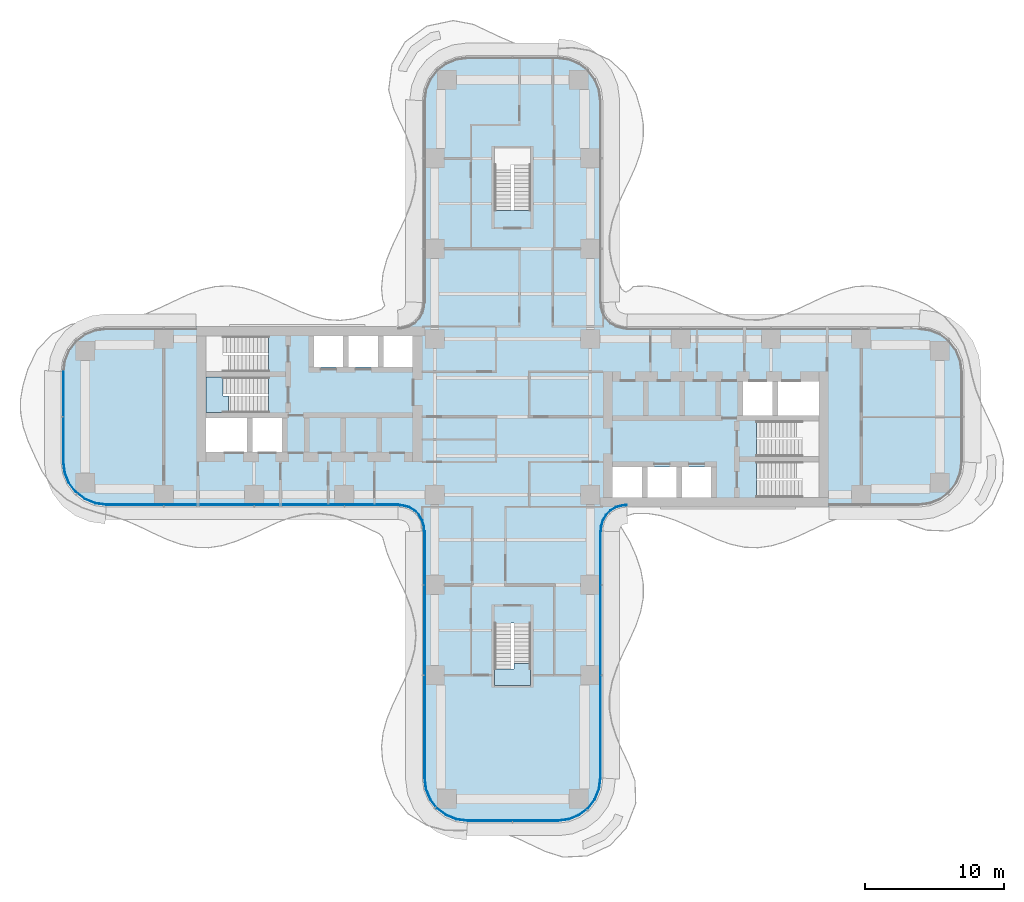
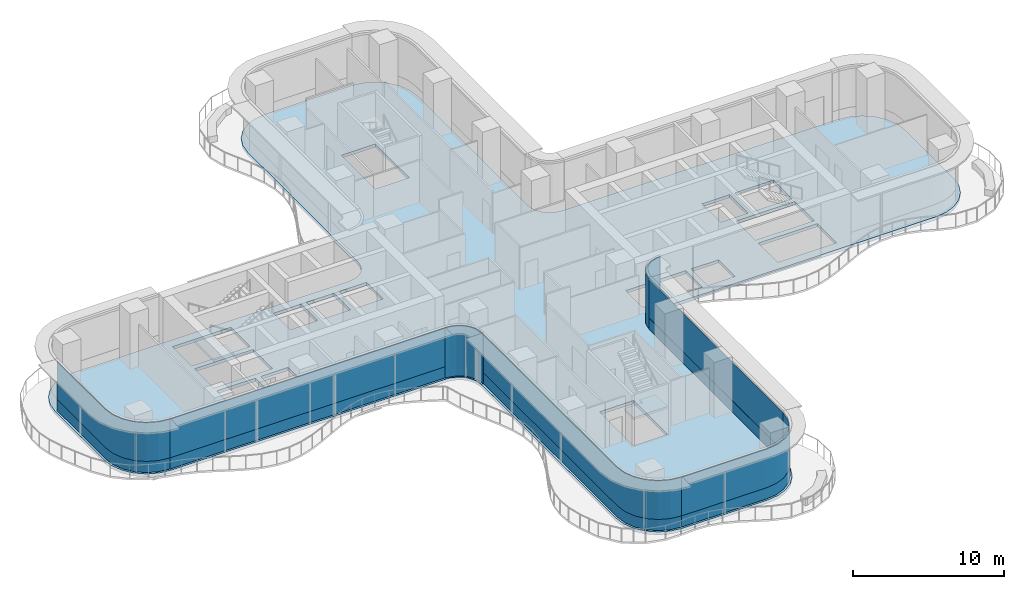
# One storey, part 14 of 22: 12 plates, 3 slabs, 9 elements without a shape of their own.
"""IFC4 building model written with IfcOpenShell, lengths in metres."""

from ifc_helpers import new_model, si_unit, direction, frame, origin, place, context, subcontext, project, spatial, polyline, outline, extrude, source, transform, mapped, material, layer, layer_set, type_object, element, aggregate, save


model = new_model("IFC4")

# Units and contexts
model_context = context("Model", 3, precision=1e-05, world=origin(), true_north=direction((0.0, 1.0)))
body_context = subcontext(model_context, "Body", "Model", "MODEL_VIEW")
ifc_project = project(units=[si_unit("LENGTHUNIT", "METRE"), si_unit("AREAUNIT", "SQUARE_METRE"), si_unit("VOLUMEUNIT", "CUBIC_METRE"), si_unit("PLANEANGLEUNIT", "RADIAN"), si_unit("MASSUNIT", "GRAM", prefix="KILO")], contexts=[model_context])

# Site, building, storey
site_placement = place(None, origin())
site = spatial("IfcSite", under=ifc_project, at=site_placement, CompositionType="ELEMENT")
building_placement = place(site_placement, origin())
building = spatial("IfcBuilding", under=site, at=building_placement, Name="Trellis Farm Tower", CompositionType="ELEMENT")
storey_placement = place(building_placement, frame((0.0, 0.0, 88.0)))
storey = spatial("IfcBuildingStorey", under=building, at=storey_placement, Name="L18", CompositionType="ELEMENT", Elevation=88.0)

# Curtain wall, plate
ifc_material_1 = material(Name="Aluminium and glass curtain wall", Category="aluminium")
ifc_layer_1 = layer(ifc_material_1, 0.18994140625)
ifc_layer_set_1 = layer_set([ifc_layer_1], Name="RIBBON CURTAIN WALL CW1")
curtain_wall_type_1 = type_object("IfcCurtainWallType", Name="RIBBON CURTAIN WALL CW1", PredefinedType="NOTDEFINED", material=ifc_layer_set_1)
placement_1 = place(storey_placement, origin())
curtain_wall_1 = element("IfcCurtainWall", 1, at=placement_1, inside=storey, type_object=curtain_wall_type_1, Name="CW1 001", PredefinedType="NOTDEFINED")
ifc_material_2 = material(Name="Clear insulated glass", Category="glass")
ifc_layer_2 = layer(ifc_material_2, 0.0400390625)
ifc_layer_set_2 = layer_set([ifc_layer_2], Name="CW1 GLASS PANEL 40")
plate_type_1 = type_object("IfcPlateType", Name="CW1 GLASS PANEL 40", PredefinedType="CURTAIN_PANEL", material=ifc_layer_set_2)
placement_2 = place(storey_placement, frame((0.0, 0.0, 0.89990234375)))
plate_1 = element("IfcPlate", 2, at=placement_2, type_object=plate_type_1, Name="PL1 001", PredefinedType="CURTAIN_PANEL", context=body_context, shape_type="SweptSolid", body=[
    extrude(outline(polyline([(-29.240234375, -6.35009765625), (-8.2265625, -6.35009765625), (-8.22509765625, -6.31005859375), (-29.237548828125, -6.31005859375), (-29.240234375, -6.35009765625)])), origin(), (0.0, 0.0, 1.0), 3.1201171875),
])

curtain_wall_2 = element("IfcCurtainWall", 3, at=placement_1, inside=storey, type_object=curtain_wall_type_1, Name="CW1 002", PredefinedType="NOTDEFINED")
plate_2 = element("IfcPlate", 4, at=placement_2, type_object=plate_type_1, Name="PL1 002", PredefinedType="CURTAIN_PANEL", context=body_context, shape_type="SweptSolid", body=[
    extrude(outline(polyline([(-6.35009765625, -8.2265625), (-6.35009765625, -25.990234375), (-6.2431640625, -26.802001953125), (-5.93359375, -27.54931640625), (-5.441162109375, -28.191162109375), (-4.79931640625, -28.68359375), (-4.052001953125, -28.9931640625), (-3.240234375, -29.10009765625), (-3.237548828125, -29.06005859375), (-4.04150390625, -28.9541015625), (-4.779296875, -28.648681640625), (-5.41259765625, -28.16259765625), (-5.898681640625, -27.529296875), (-6.2041015625, -26.79150390625), (-6.31005859375, -25.987548828125), (-6.31005859375, -8.22509765625), (-6.35009765625, -8.2265625)])), origin(), (0.0, 0.0, 1.0), 3.1201171875),
])

curtain_wall_3 = element("IfcCurtainWall", 5, at=placement_1, inside=storey, type_object=curtain_wall_type_1, Name="CW1 003", PredefinedType="NOTDEFINED")
plate_3 = element("IfcPlate", 6, at=placement_2, type_object=plate_type_1, Name="PL1 003", PredefinedType="CURTAIN_PANEL", context=body_context, shape_type="SweptSolid", body=[
    extrude(outline(polyline([(-3.240234375, -29.10009765625), (3.240234375, -29.10009765625), (4.052001953125, -28.9931640625), (4.79931640625, -28.68359375), (5.441162109375, -28.191162109375), (5.93359375, -27.54931640625), (6.2431640625, -26.802001953125), (6.35009765625, -25.990234375), (6.31005859375, -25.987548828125), (6.2041015625, -26.79150390625), (5.898681640625, -27.529296875), (5.41259765625, -28.16259765625), (4.779296875, -28.648681640625), (4.04150390625, -28.9541015625), (3.237548828125, -29.06005859375), (-3.237548828125, -29.06005859375), (-3.240234375, -29.10009765625)])), origin(), (0.0, 0.0, 1.0), 3.1201171875),
])

curtain_wall_4 = element("IfcCurtainWall", 7, at=placement_1, inside=storey, type_object=curtain_wall_type_1, Name="CW1 004", PredefinedType="NOTDEFINED")
plate_4 = element("IfcPlate", 8, at=placement_2, type_object=plate_type_1, Name="PL1 004", PredefinedType="CURTAIN_PANEL", context=body_context, shape_type="SweptSolid", body=[
    extrude(outline(polyline([(6.35009765625, -25.990234375), (6.35009765625, -8.2265625), (6.31005859375, -8.22509765625), (6.31005859375, -25.987548828125), (6.35009765625, -25.990234375)])), origin(), (0.0, 0.0, 1.0), 3.1201171875),
])

curtain_wall_5 = element("IfcCurtainWall", 9, at=placement_1, inside=storey, type_object=curtain_wall_type_1, Name="CW1 013", PredefinedType="NOTDEFINED")
plate_5 = element("IfcPlate", 10, at=placement_2, type_object=plate_type_1, Name="PL1 013", PredefinedType="CURTAIN_PANEL", context=body_context, shape_type="SweptSolid", body=[
    extrude(outline(polyline([(-32.35009765625, 3.240234375), (-32.35009765625, -3.240234375), (-32.2431640625, -4.052001953125), (-31.93359375, -4.79931640625), (-31.441162109375, -5.441162109375), (-30.79931640625, -5.93359375), (-30.052001953125, -6.2431640625), (-29.240234375, -6.35009765625), (-29.237548828125, -6.31005859375), (-30.04150390625, -6.2041015625), (-30.779296875, -5.898681640625), (-31.41259765625, -5.41259765625), (-31.898681640625, -4.779296875), (-32.2041015625, -4.04150390625), (-32.31005859375, -3.237548828125), (-32.31005859375, 3.237548828125), (-32.35009765625, 3.240234375)])), origin(), (0.0, 0.0, 1.0), 3.1201171875),
])

ifc_layer_3 = layer(ifc_material_1, 0.166015625)
ifc_layer_set_3 = layer_set([ifc_layer_3], Name="WINTER GARDEN CURTAIN WALL CW3")
curtain_wall_type_2 = type_object("IfcCurtainWallType", Name="WINTER GARDEN CURTAIN WALL CW3", PredefinedType="NOTDEFINED", material=ifc_layer_set_3)
curtain_wall_6 = element("IfcCurtainWall", 11, at=placement_1, inside=storey, type_object=curtain_wall_type_2, Name="CW3 001", PredefinedType="NOTDEFINED")
ifc_layer_4 = layer(ifc_material_2, 0.0458984375)
ifc_layer_set_4 = layer_set([ifc_layer_4], Name="CW3 GLASS PANEL 46")
plate_type_2 = type_object("IfcPlateType", Name="CW3 GLASS PANEL 46", PredefinedType="CURTAIN_PANEL", material=ifc_layer_set_4)
plate_6 = element("IfcPlate", 12, at=placement_1, type_object=plate_type_2, Name="PL3 001", PredefinedType="CURTAIN_PANEL", context=body_context, shape_type="SweptSolid", body=[
    extrude(outline(polyline([(-8.2275390625, -6.3798828125), (-8.0078125, -6.394287109375), (-7.89208984375, -6.40966796875), (-7.462158203125, -6.52490234375), (-7.070556640625, -6.7509765625), (-6.7509765625, -7.070556640625), (-6.52490234375, -7.462158203125), (-6.40966796875, -7.89208984375), (-6.394287109375, -8.0078125), (-6.3798828125, -8.2275390625), (-6.333984375, -8.22607421875), (-6.3486328125, -8.003173828125), (-6.364501953125, -7.883056640625), (-6.48193359375, -7.4443359375), (-6.714111328125, -7.04248046875), (-7.04248046875, -6.714111328125), (-7.4443359375, -6.48193359375), (-7.883056640625, -6.364501953125), (-8.003173828125, -6.3486328125), (-8.22607421875, -6.333984375), (-8.2275390625, -6.3798828125)])), origin(), (0.0, 0.0, 1.0), 4.050048828125),
])
aggregate(curtain_wall_6, [plate_6])

curtain_wall_7 = element("IfcCurtainWall", 13, at=placement_1, inside=storey, type_object=curtain_wall_type_2, Name="CW3 002", PredefinedType="NOTDEFINED")
plate_7 = element("IfcPlate", 14, at=placement_1, type_object=plate_type_2, Name="PL3 002", PredefinedType="CURTAIN_PANEL", context=body_context, shape_type="SweptSolid", body=[
    extrude(outline(polyline([(6.3798828125, -8.2275390625), (6.394287109375, -8.0078125), (6.40966796875, -7.89208984375), (6.52490234375, -7.462158203125), (6.7509765625, -7.070556640625), (7.070556640625, -6.7509765625), (7.462158203125, -6.52490234375), (7.89208984375, -6.40966796875), (8.0078125, -6.394287109375), (8.2275390625, -6.3798828125), (8.22607421875, -6.333984375), (8.003173828125, -6.3486328125), (7.883056640625, -6.364501953125), (7.4443359375, -6.48193359375), (7.04248046875, -6.714111328125), (6.714111328125, -7.04248046875), (6.48193359375, -7.4443359375), (6.364501953125, -7.883056640625), (6.3486328125, -8.003173828125), (6.333984375, -8.22607421875), (6.3798828125, -8.2275390625)])), origin(), (0.0, 0.0, 1.0), 4.050048828125),
])
aggregate(curtain_wall_7, [plate_7])

# Slab
ifc_material_3 = material(Name="Concrete C40/50", Category="concrete")
ifc_layer_5 = layer(ifc_material_3, 0.25)
ifc_layer_set_5 = layer_set([ifc_layer_5], Name="Composite deck floor slab 250")
slab_type_1 = type_object("IfcSlabType", Name="Composite deck floor slab 250", PredefinedType="FLOOR", material=ifc_layer_set_5)
shared_shape_1 = source(origin(), body_context, "Body", "SweptSolid", [
    extrude(outline(polyline([(-30.09130859375, -6.389404296875), (-30.875, -6.064697265625), (-31.548095703125, -5.548095703125), (-32.064697265625, -4.875), (-32.389404296875, -4.09130859375), (-32.5, -3.25), (-32.5, 3.25), (-32.389404296875, 4.09130859375), (-32.064697265625, 4.875), (-31.548095703125, 5.548095703125), (-30.875, 6.064697265625), (-30.09130859375, 6.389404296875), (-29.25, 6.5), (-8.2314453125, 6.5), (-8.01953125, 6.513916015625), (-7.91552734375, 6.527587890625), (-7.508544921875, 6.63671875), (-7.144287109375, 6.846923828125), (-6.846923828125, 7.144287109375), (-6.63671875, 7.508544921875), (-6.527587890625, 7.91552734375), (-6.513916015625, 8.01953125), (-6.5, 8.2314453125), (-6.5, 22.75), (-6.389404296875, 23.59130859375), (-6.064697265625, 24.375), (-5.548095703125, 25.048095703125), (-4.875, 25.564697265625), (-4.09130859375, 25.889404296875), (-3.25, 26.0), (3.25, 26.0), (4.09130859375, 25.889404296875), (4.875, 25.564697265625), (5.548095703125, 25.048095703125), (6.064697265625, 24.375), (6.389404296875, 23.59130859375), (6.5, 22.75), (6.5, 8.2314453125), (6.513916015625, 8.01953125), (6.527587890625, 7.91552734375), (6.63671875, 7.508544921875), (6.846923828125, 7.144287109375), (7.144287109375, 6.846923828125), (7.508544921875, 6.63671875), (7.91552734375, 6.527587890625), (8.01953125, 6.513916015625), (8.2314453125, 6.5), (29.25, 6.5), (30.09130859375, 6.389404296875), (30.875, 6.064697265625), (31.548095703125, 5.548095703125), (32.064697265625, 4.875), (32.389404296875, 4.09130859375), (32.5, 3.25), (32.5, -3.25), (32.389404296875, -4.09130859375), (32.064697265625, -4.875), (31.548095703125, -5.548095703125), (30.875, -6.064697265625), (30.09130859375, -6.389404296875), (29.25, -6.5), (8.2314453125, -6.5), (8.01953125, -6.513916015625), (7.91552734375, -6.527587890625), (7.508544921875, -6.63671875), (7.144287109375, -6.846923828125), (6.846923828125, -7.144287109375), (6.63671875, -7.508544921875), (6.527587890625, -7.91552734375), (6.513916015625, -8.01953125), (6.5, -8.2314453125), (6.5, -26.0), (6.389404296875, -26.84130859375), (6.064697265625, -27.625), (5.548095703125, -28.298095703125), (4.875, -28.814697265625), (4.09130859375, -29.139404296875), (3.25, -29.25), (-3.25, -29.25), (-4.09130859375, -29.139404296875), (-4.875, -28.814697265625), (-5.548095703125, -28.298095703125), (-6.064697265625, -27.625), (-6.389404296875, -26.84130859375), (-6.5, -26.0), (-6.5, -8.2314453125), (-6.513916015625, -8.01953125), (-6.527587890625, -7.91552734375), (-6.63671875, -7.508544921875), (-6.846923828125, -7.144287109375), (-7.144287109375, -6.846923828125), (-7.508544921875, -6.63671875), (-7.91552734375, -6.527587890625), (-8.01953125, -6.513916015625), (-8.2314453125, -6.5), (-29.25, -6.5), (-30.09130859375, -6.389404296875)]), holes=[polyline([(-22.050048828125, -0.10009765625), (-22.050048828125, -2.550048828125), (-19.10009765625, -2.550048828125), (-19.10009765625, -0.10009765625), (-22.050048828125, -0.10009765625)]), polyline([(-18.699951171875, -0.10009765625), (-18.699951171875, -2.550048828125), (-16.60009765625, -2.550048828125), (-16.60009765625, -0.10009765625), (-18.699951171875, -0.10009765625)]), polyline([(-17.56201171875, 1.64990234375), (-17.56201171875, 2.85009765625), (-22.050048828125, 2.85009765625), (-22.050048828125, 0.300048828125), (-17.56005859375, 0.300048828125), (-17.56005859375, 1.5), (-17.550048828125, 1.5), (-17.550048828125, 1.64990234375), (-17.56201171875, 1.64990234375)]), polyline([(-17.56201171875, 4.60009765625), (-17.56201171875, 5.800048828125), (-22.050048828125, 5.800048828125), (-22.050048828125, 3.25), (-17.56005859375, 3.25), (-17.56005859375, 4.449951171875), (-17.550048828125, 4.449951171875), (-17.550048828125, 4.60009765625), (-17.56201171875, 4.60009765625)]), polyline([(-14.300048828125, 5.800048828125), (-14.300048828125, 3.60009765625), (-12.199951171875, 3.60009765625), (-12.199951171875, 5.800048828125), (-14.300048828125, 5.800048828125)]), polyline([(-11.800048828125, 5.800048828125), (-11.800048828125, 3.60009765625), (-9.699951171875, 3.60009765625), (-9.699951171875, 5.800048828125), (-11.800048828125, 5.800048828125)]), polyline([(-9.300048828125, 5.800048828125), (-9.300048828125, 3.60009765625), (-7.199951171875, 3.60009765625), (-7.199951171875, 5.800048828125), (-9.300048828125, 5.800048828125)]), polyline([(0.10009765625, 14.862060546875), (1.300048828125, 14.862060546875), (1.300048828125, 19.35009765625), (-1.300048828125, 19.35009765625), (-1.300048828125, 14.860107421875), (-0.10009765625, 14.860107421875), (-0.10009765625, 14.85009765625), (0.10009765625, 14.85009765625), (0.10009765625, 14.862060546875)]), polyline([(-0.10009765625, -14.862060546875), (-1.300048828125, -14.862060546875), (-1.300048828125, -19.35009765625), (1.300048828125, -19.35009765625), (1.300048828125, -14.860107421875), (0.10009765625, -14.860107421875), (0.10009765625, -14.85009765625), (-0.10009765625, -14.85009765625), (-0.10009765625, -14.862060546875)]), polyline([(9.300048828125, -5.800048828125), (9.300048828125, -3.60009765625), (7.199951171875, -3.60009765625), (7.199951171875, -5.800048828125), (9.300048828125, -5.800048828125)]), polyline([(11.800048828125, -5.800048828125), (11.800048828125, -3.60009765625), (9.699951171875, -3.60009765625), (9.699951171875, -5.800048828125), (11.800048828125, -5.800048828125)]), polyline([(14.300048828125, -5.800048828125), (14.300048828125, -3.60009765625), (12.199951171875, -3.60009765625), (12.199951171875, -5.800048828125), (14.300048828125, -5.800048828125)]), polyline([(17.56201171875, -4.60009765625), (17.56201171875, -5.800048828125), (22.050048828125, -5.800048828125), (22.050048828125, -3.25), (17.56005859375, -3.25), (17.56005859375, -4.449951171875), (17.550048828125, -4.449951171875), (17.550048828125, -4.60009765625), (17.56201171875, -4.60009765625)]), polyline([(17.56201171875, -1.64990234375), (17.56201171875, -2.85009765625), (22.050048828125, -2.85009765625), (22.050048828125, -0.300048828125), (17.56005859375, -0.300048828125), (17.56005859375, -1.5), (17.550048828125, -1.5), (17.550048828125, -1.64990234375), (17.56201171875, -1.64990234375)]), polyline([(18.699951171875, 0.10009765625), (18.699951171875, 2.550048828125), (16.60009765625, 2.550048828125), (16.60009765625, 0.10009765625), (18.699951171875, 0.10009765625)]), polyline([(22.050048828125, 0.10009765625), (22.050048828125, 2.550048828125), (19.10009765625, 2.550048828125), (19.10009765625, 0.10009765625), (22.050048828125, 0.10009765625)])]), origin(), (0.0, 0.0, 1.0), 0.25),
])
slab_1_placement = place(storey_placement, frame((0.0, 0.0, -0.25)))
element("IfcSlab", 15, at=slab_1_placement, inside=storey, type_object=slab_type_1, Name="Floor slab", PredefinedType="FLOOR", context=body_context, shape_type="MappedRepresentation", body=[
    mapped(shared_shape_1, transform((0.0, 0.0, 0.0))),
])

# Stair, slab
ifc_material_4 = material(Name="Concrete C50/60", Category="concrete")
stair_type = type_object("IfcStairType", Name="CORE EXIT STAIR 26 RISERS 173 MM", PredefinedType="HALF_TURN_STAIR", material=ifc_material_4)
stair_1 = element("IfcStair", 16, at=placement_1, inside=storey, type_object=stair_type, Name="Exit stair S", PredefinedType="HALF_TURN_STAIR")
ifc_layer_6 = layer(ifc_material_4, 0.18994140625)
ifc_layer_set_6 = layer_set([ifc_layer_6], Name="CORE STAIR LANDING 190 CONCRETE C50/60")
slab_type_2 = type_object("IfcSlabType", Name="CORE STAIR LANDING 190 CONCRETE C50/60", PredefinedType="LANDING", material=ifc_layer_set_6)
shared_shape_2 = source(origin(), body_context, "Body", "SweptSolid", [
    extrude(outline(polyline([(1.300048828125, -19.35009765625), (-1.300048828125, -19.35009765625), (-1.300048828125, -18.14990234375), (-1.300048828125, -18.139892578125), (-0.10009765625, -18.139892578125), (-0.10009765625, -18.14990234375), (0.10009765625, -18.14990234375), (0.10009765625, -17.753173828125), (1.300048828125, -17.753173828125), (1.300048828125, -18.14990234375), (1.300048828125, -19.35009765625)])), origin(), (0.0, 0.0, 1.0), 0.18994140625),
])
placement_3 = place(storey_placement, frame((0.0, 0.0, 2.06005859375)))
slab_2 = element("IfcSlab", 17, at=placement_3, type_object=slab_type_2, Name="STS landing 1", PredefinedType="LANDING", context=body_context, shape_type="MappedRepresentation", body=[
    mapped(shared_shape_2, transform((0.0, 0.0, 0.0))),
])
aggregate(stair_1, [slab_2])

stair_2 = element("IfcStair", 18, at=placement_1, inside=storey, type_object=stair_type, Name="Exit stair W2", PredefinedType="HALF_TURN_STAIR")
shared_shape_3 = source(origin(), body_context, "Body", "SweptSolid", [
    extrude(outline(polyline([(-20.453125, 1.5), (-20.453125, 0.300048828125), (-20.85009765625, 0.300048828125), (-22.050048828125, 0.300048828125), (-22.050048828125, 2.85009765625), (-20.85009765625, 2.85009765625), (-20.840087890625, 2.85009765625), (-20.840087890625, 1.64990234375), (-20.85009765625, 1.64990234375), (-20.85009765625, 1.5), (-20.453125, 1.5)])), origin(), (0.0, 0.0, 1.0), 0.18994140625),
])
slab_3 = element("IfcSlab", 19, at=placement_3, type_object=slab_type_2, Name="STW2 landing 1", PredefinedType="LANDING", context=body_context, shape_type="MappedRepresentation", body=[
    mapped(shared_shape_3, transform((0.0, 0.0, 0.0))),
])
aggregate(stair_2, [slab_3])

# Plate
ifc_material_5 = material(Name="Sandstone faced insulated panel", Category="masonry")
ifc_layer_7 = layer(ifc_material_5, 0.050048828125)
ifc_layer_set_7 = layer_set([ifc_layer_7], Name="CW1 STONE SPANDREL PANEL 50")
plate_type_3 = type_object("IfcPlateType", Name="CW1 STONE SPANDREL PANEL 50", PredefinedType="CURTAIN_PANEL", material=ifc_layer_set_7)
shared_shape_4 = source(origin(), body_context, "Body", "SweptSolid", [
    extrude(outline(polyline([(-29.240234375, -6.35009765625), (-8.2265625, -6.35009765625), (-8.224853515625, -6.300048828125), (-29.23681640625, -6.300048828125), (-29.240234375, -6.35009765625)])), origin(), (0.0, 0.0, 1.0), 0.89990234375),
])
plate_8 = element("IfcPlate", 20, at=placement_1, type_object=plate_type_3, Name="PS1 001", PredefinedType="CURTAIN_PANEL", context=body_context, shape_type="MappedRepresentation", body=[
    mapped(shared_shape_4, transform((0.0, 0.0, 0.0))),
])

aggregate(curtain_wall_1, [plate_1, plate_8])

shared_shape_5 = source(origin(), body_context, "Body", "SweptSolid", [
    extrude(outline(polyline([(-3.240234375, -29.10009765625), (3.240234375, -29.10009765625), (4.052001953125, -28.9931640625), (4.79931640625, -28.68359375), (5.441162109375, -28.191162109375), (5.93359375, -27.54931640625), (6.2431640625, -26.802001953125), (6.35009765625, -25.990234375), (6.300048828125, -25.98681640625), (6.1943359375, -26.7890625), (5.889892578125, -27.524169921875), (5.405517578125, -28.155517578125), (4.774169921875, -28.639892578125), (4.0390625, -28.9443359375), (3.23681640625, -29.050048828125), (-3.23681640625, -29.050048828125), (-3.240234375, -29.10009765625)])), origin(), (0.0, 0.0, 1.0), 0.89990234375),
])
plate_9 = element("IfcPlate", 21, at=placement_1, type_object=plate_type_3, Name="PS1 003", PredefinedType="CURTAIN_PANEL", context=body_context, shape_type="MappedRepresentation", body=[
    mapped(shared_shape_5, transform((0.0, 0.0, 0.0))),
])

aggregate(curtain_wall_3, [plate_3, plate_9])

shared_shape_6 = source(origin(), body_context, "Body", "SweptSolid", [
    extrude(outline(polyline([(6.35009765625, -25.990234375), (6.35009765625, -8.2265625), (6.300048828125, -8.224853515625), (6.300048828125, -25.98681640625), (6.35009765625, -25.990234375)])), origin(), (0.0, 0.0, 1.0), 0.89990234375),
])
plate_10 = element("IfcPlate", 22, at=placement_1, type_object=plate_type_3, Name="PS1 004", PredefinedType="CURTAIN_PANEL", context=body_context, shape_type="MappedRepresentation", body=[
    mapped(shared_shape_6, transform((0.0, 0.0, 0.0))),
])

aggregate(curtain_wall_4, [plate_4, plate_10])

shared_shape_7 = source(origin(), body_context, "Body", "SweptSolid", [
    extrude(outline(polyline([(-6.35009765625, -8.2265625), (-6.35009765625, -25.990234375), (-6.2431640625, -26.802001953125), (-5.93359375, -27.54931640625), (-5.441162109375, -28.191162109375), (-4.79931640625, -28.68359375), (-4.052001953125, -28.9931640625), (-3.240234375, -29.10009765625), (-3.23681640625, -29.050048828125), (-4.0390625, -28.9443359375), (-4.774169921875, -28.639892578125), (-5.405517578125, -28.155517578125), (-5.889892578125, -27.524169921875), (-6.1943359375, -26.7890625), (-6.300048828125, -25.98681640625), (-6.300048828125, -8.224853515625), (-6.35009765625, -8.2265625)])), origin(), (0.0, 0.0, 1.0), 0.89990234375),
])
plate_11 = element("IfcPlate", 23, at=placement_1, type_object=plate_type_3, Name="PS1 002", PredefinedType="CURTAIN_PANEL", context=body_context, shape_type="MappedRepresentation", body=[
    mapped(shared_shape_7, transform((0.0, 0.0, 0.0))),
])

aggregate(curtain_wall_2, [plate_2, plate_11])

shared_shape_8 = source(origin(), body_context, "Body", "SweptSolid", [
    extrude(outline(polyline([(-32.35009765625, 3.240234375), (-32.35009765625, -3.240234375), (-32.2431640625, -4.052001953125), (-31.93359375, -4.79931640625), (-31.441162109375, -5.441162109375), (-30.79931640625, -5.93359375), (-30.052001953125, -6.2431640625), (-29.240234375, -6.35009765625), (-29.23681640625, -6.300048828125), (-30.0390625, -6.1943359375), (-30.774169921875, -5.889892578125), (-31.405517578125, -5.405517578125), (-31.889892578125, -4.774169921875), (-32.1943359375, -4.0390625), (-32.300048828125, -3.23681640625), (-32.300048828125, 3.23681640625), (-32.35009765625, 3.240234375)])), origin(), (0.0, 0.0, 1.0), 0.89990234375),
])
plate_12 = element("IfcPlate", 24, at=placement_1, type_object=plate_type_3, Name="PS1 013", PredefinedType="CURTAIN_PANEL", context=body_context, shape_type="MappedRepresentation", body=[
    mapped(shared_shape_8, transform((0.0, 0.0, 0.0))),
])

aggregate(curtain_wall_5, [plate_5, plate_12])

save(model, "model.ifc")
